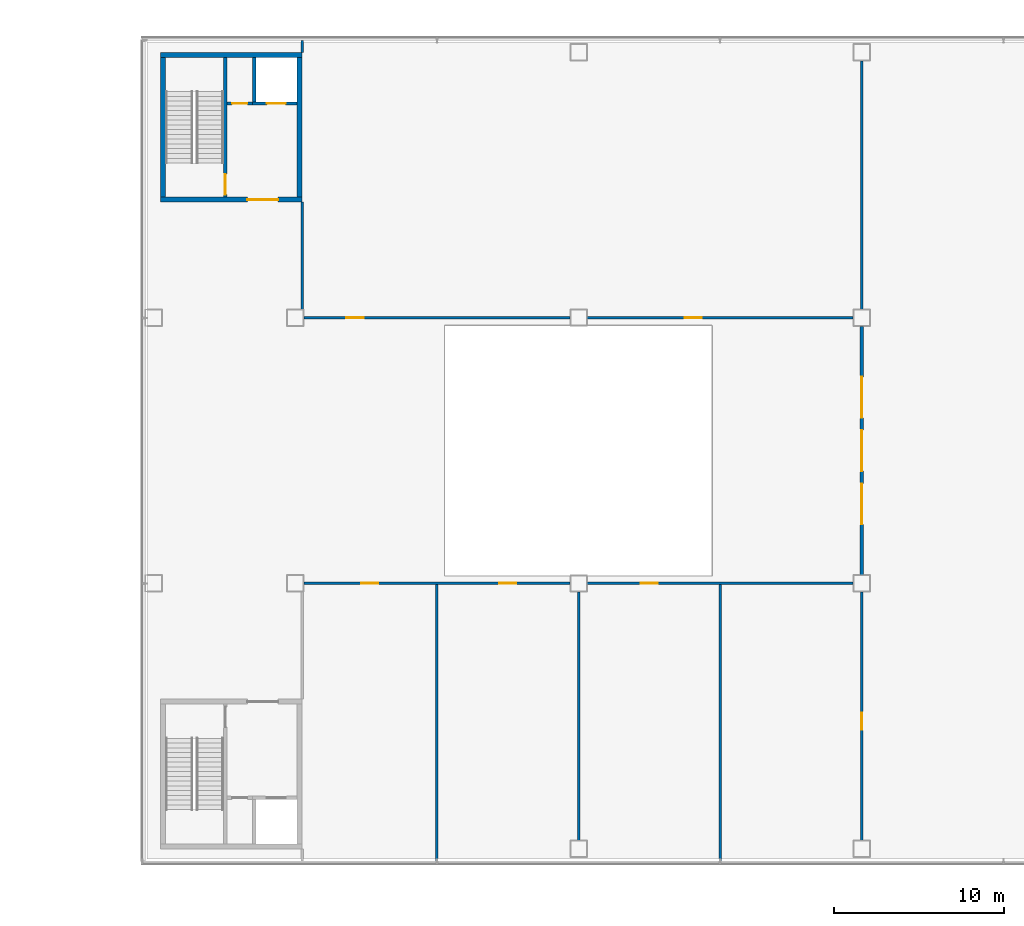
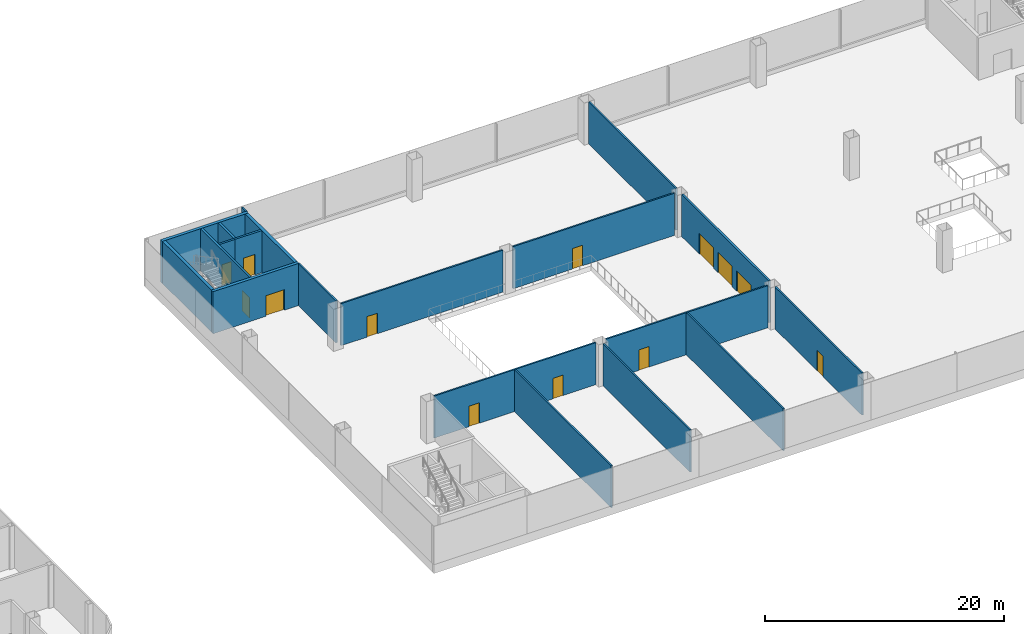
# One storey, part 25 of 53: 20 walls, 13 doors, 13 openings.
"""IFC4 building model written with IfcOpenShell, lengths in metres."""

from ifc_helpers import new_model, si_unit, direction, frame, frame_2d, origin, place, context, subcontext, project, spatial, rectangle, extrude, material, layer, layer_set, type_object, element, fill, save


model = new_model("IFC4")

# Units and contexts
model_context = context("Model", 3, precision=1e-05, world=origin(), true_north=direction((0.0, 1.0)))
body_context = subcontext(model_context, "Body", "Model", "MODEL_VIEW")
ifc_project = project(units=[si_unit("LENGTHUNIT", "METRE"), si_unit("AREAUNIT", "SQUARE_METRE"), si_unit("VOLUMEUNIT", "CUBIC_METRE"), si_unit("PLANEANGLEUNIT", "RADIAN"), si_unit("MASSUNIT", "GRAM", prefix="KILO")], contexts=[model_context])

# Site, building, storey
site_placement = place(None, origin())
site = spatial("IfcSite", under=ifc_project, at=site_placement, CompositionType="ELEMENT")
building_placement = place(site_placement, origin())
building = spatial("IfcBuilding", under=site, at=building_placement, Name="Hakoniwa Tower and Hamabe Station Hall", CompositionType="ELEMENT")
storey_placement = place(building_placement, frame((0.0, 0.0, 15.0)))
storey = spatial("IfcBuildingStorey", under=building, at=storey_placement, Name="L03", CompositionType="ELEMENT", Elevation=15.0)

# Wall, opening, door
ifc_material_1 = material(Name="Concrete block masonry fb10", Category="masonry")
ifc_layer_1 = layer(ifc_material_1, 0.199951171875)
ifc_layer_set_1 = layer_set([ifc_layer_1], Name="BLOCK WALL 200 EI 60")
wall_type_1 = type_object("IfcWallType", Name="BLOCK WALL 200 EI 60", PredefinedType="PARTITIONING", material=ifc_layer_set_1)
wall_1_placement = place(storey_placement, frame((90.25, 20.39990234375, 0.0), z_axis=(0.0, 0.0, 1.0), x_axis=(1.0, 0.0, 0.0)))
wall_1 = element("IfcWall", 1, at=wall_1_placement, inside=storey, type_object=wall_type_1, Name="Station riser room wall SC1 L03", PredefinedType="PARTITIONING", context=body_context, shape_type="SweptSolid", body=[
    extrude(rectangle(XDim=1.5, YDim=0.199951171875, at=frame_2d((0.75, 0.0))), origin(), (0.0, 0.0, 1.0), 4.300048828125),
])
opening_1_placement = place(wall_1_placement, frame((0.300048828125, 0.0, 0.0)))
opening_1 = element("IfcOpeningElement", 2, at=opening_1_placement, cuts=wall_1, Name="Opening SD-L03-012", PredefinedType="OPENING", context=body_context, shape_type="SweptSolid", body=[
    extrude(rectangle(XDim=0.89990234375, YDim=2.10009765625, at=frame_2d((0.449951171875, 1.050048828125))), frame((0.0, 0.10986328125, 0.0), z_axis=(0.0, -1.0, 0.0), x_axis=(1.0, 0.0, 0.0)), (0.0, 0.0, 1.0), 0.219970703125),
])
ifc_material_2 = material(Name="Steel fire door", Category="steel")
door_type_1 = type_object("IfcDoorType", Name="FIRE DOOR 900X2100 FD30", OperationType="SINGLE_SWING_LEFT", PredefinedType="DOOR", material=ifc_material_2)
door_1_placement = place(opening_1_placement, origin())
door_1 = element("IfcDoor", 3, at=door_1_placement, inside=storey, type_object=door_type_1, Name="Door riser SC1", OperationType="SINGLE_SWING_LEFT", OverallHeight=2.10009765625, OverallWidth=0.89990234375, PredefinedType="DOOR", context=body_context, shape_type="SweptSolid", body=[
    extrude(rectangle(XDim=0.89990234375, YDim=2.10009765625, at=frame_2d((0.449951171875, 1.050048828125))), frame((0.0, 0.02490234375, 0.0), z_axis=(0.0, -1.0, 0.0), x_axis=(1.0, 0.0, 0.0)), (0.0, 0.0, 1.0), 0.050048828125),
])
fill(opening_1, door_1)

# Wall, openings, doors
ifc_material_3 = material(Name="Fire-rated gypsum board partition")
ifc_layer_2 = layer(ifc_material_3, 0.14990234375)
ifc_layer_set_2 = layer_set([ifc_layer_2], Name="FIRE PARTITION 150 EI 60")
wall_type_2 = type_object("IfcWallType", Name="FIRE PARTITION 150 EI 60", PredefinedType="PARTITIONING", material=ifc_layer_set_2)
wall_2_placement = place(storey_placement, frame((94.77001953125, -7.800048828125, 0.0), z_axis=(0.0, 0.0, 1.0), x_axis=(1.0, 0.0, 0.0)))
wall_2 = element("IfcWall", 4, at=wall_2_placement, inside=storey, type_object=wall_type_2, Name="Partition L03 1", PredefinedType="PARTITIONING", context=body_context, shape_type="SweptSolid", body=[
    extrude(rectangle(XDim=15.639892578125, YDim=0.14990234375, at=frame_2d((7.81982421875, 0.0))), origin(), (0.0, 0.0, 1.0), 4.300048828125),
])
opening_2_placement = place(wall_2_placement, frame((3.375, 0.0, 0.0)))
opening_2 = element("IfcOpeningElement", 5, at=opening_2_placement, cuts=wall_2, Name="Opening SD-L03-005", PredefinedType="OPENING", context=body_context, shape_type="SweptSolid", body=[
    extrude(rectangle(XDim=1.0, YDim=2.10009765625, at=frame_2d((0.5, 1.050048828125))), frame((0.0, 0.0849609375, 0.0), z_axis=(0.0, -1.0, 0.0), x_axis=(1.0, 0.0, 0.0)), (0.0, 0.0, 1.0), 0.169921875),
])
opening_3_placement = place(wall_2_placement, frame((11.47998046875, 0.0, 0.0)))
opening_3 = element("IfcOpeningElement", 6, at=opening_3_placement, cuts=wall_2, Name="Opening SD-L03-006", PredefinedType="OPENING", context=body_context, shape_type="SweptSolid", body=[
    extrude(rectangle(XDim=1.0, YDim=2.10009765625, at=frame_2d((0.5, 1.050048828125))), frame((0.0, 0.0849609375, 0.0), z_axis=(0.0, -1.0, 0.0), x_axis=(1.0, 0.0, 0.0)), (0.0, 0.0, 1.0), 0.169921875),
])
ifc_material_4 = material(Name="Timber door leaf", Category="wood")
door_type_2 = type_object("IfcDoorType", Name="SINGLE DOOR 1000X2100", OperationType="SINGLE_SWING_LEFT", PredefinedType="DOOR", material=ifc_material_4)
door_2_placement = place(opening_2_placement, origin())
door_2 = element("IfcDoor", 7, at=door_2_placement, inside=storey, type_object=door_type_2, Name="Door Meeting Room 1", OperationType="SINGLE_SWING_LEFT", OverallHeight=2.10009765625, OverallWidth=1.0, PredefinedType="DOOR", context=body_context, shape_type="SweptSolid", body=[
    extrude(rectangle(XDim=1.0, YDim=2.10009765625, at=frame_2d((0.5, 1.050048828125))), frame((0.0, 0.02490234375, 0.0), z_axis=(0.0, -1.0, 0.0), x_axis=(1.0, 0.0, 0.0)), (0.0, 0.0, 1.0), 0.050048828125),
])
fill(opening_2, door_2)
door_3_placement = place(opening_3_placement, origin())
door_3 = element("IfcDoor", 8, at=door_3_placement, inside=storey, type_object=door_type_2, Name="Door Meeting Room 2", OperationType="SINGLE_SWING_RIGHT", OverallHeight=2.10009765625, OverallWidth=1.0, PredefinedType="DOOR", context=body_context, shape_type="SweptSolid", body=[
    extrude(rectangle(XDim=1.0, YDim=2.10009765625, at=frame_2d((0.5, 1.050048828125))), frame((0.0, 0.02490234375, 0.0), z_axis=(0.0, -1.0, 0.0), x_axis=(1.0, 0.0, 0.0)), (0.0, 0.0, 1.0), 0.050048828125),
])
fill(opening_3, door_3)

# Wall, opening, door
wall_3_placement = place(storey_placement, frame((111.409912109375, -7.800048828125, 0.0), z_axis=(0.0, 0.0, 1.0), x_axis=(1.0, 0.0, 0.0)))
wall_3 = element("IfcWall", 9, at=wall_3_placement, inside=storey, type_object=wall_type_2, Name="Partition L03 1", PredefinedType="PARTITIONING", context=body_context, shape_type="SweptSolid", body=[
    extrude(rectangle(XDim=15.64013671875, YDim=0.14990234375, at=frame_2d((7.820068359375, 0.0))), origin(), (0.0, 0.0, 1.0), 4.300048828125),
])
opening_4_placement = place(wall_3_placement, frame((3.159912109375, 0.0, 0.0)))
opening_4 = element("IfcOpeningElement", 10, at=opening_4_placement, cuts=wall_3, Name="Opening SD-L03-007", PredefinedType="OPENING", context=body_context, shape_type="SweptSolid", body=[
    extrude(rectangle(XDim=1.0, YDim=2.10009765625, at=frame_2d((0.5, 1.050048828125))), frame((0.0, 0.0849609375, 0.0), z_axis=(0.0, -1.0, 0.0), x_axis=(1.0, 0.0, 0.0)), (0.0, 0.0, 1.0), 0.169921875),
])
door_4_placement = place(opening_4_placement, origin())
door_4 = element("IfcDoor", 11, at=door_4_placement, inside=storey, type_object=door_type_2, Name="Door Meeting Room 3", OperationType="SINGLE_SWING_LEFT", OverallHeight=2.10009765625, OverallWidth=1.0, PredefinedType="DOOR", context=body_context, shape_type="SweptSolid", body=[
    extrude(rectangle(XDim=1.0, YDim=2.10009765625, at=frame_2d((0.5, 1.050048828125))), frame((0.0, 0.02490234375, 0.0), z_axis=(0.0, -1.0, 0.0), x_axis=(1.0, 0.0, 0.0)), (0.0, 0.0, 1.0), 0.050048828125),
])
fill(opening_4, door_4)

wall_4_placement = place(storey_placement, frame((94.77001953125, 7.800048828125, 0.0), z_axis=(0.0, 0.0, 1.0), x_axis=(1.0, 0.0, 0.0)))
wall_4 = element("IfcWall", 12, at=wall_4_placement, inside=storey, type_object=wall_type_2, Name="Partition L03 2", PredefinedType="PARTITIONING", context=body_context, shape_type="SweptSolid", body=[
    extrude(rectangle(XDim=15.639892578125, YDim=0.14990234375, at=frame_2d((7.81982421875, 0.0))), origin(), (0.0, 0.0, 1.0), 4.300048828125),
])
opening_5_placement = place(wall_4_placement, frame((2.5048828125, 0.0, 0.0)))
opening_5 = element("IfcOpeningElement", 13, at=opening_5_placement, cuts=wall_4, Name="Opening SD-L03-004", PredefinedType="OPENING", context=body_context, shape_type="SweptSolid", body=[
    extrude(rectangle(XDim=1.0, YDim=2.10009765625, at=frame_2d((0.5, 1.050048828125))), frame((0.0, 0.0849609375, 0.0), z_axis=(0.0, -1.0, 0.0), x_axis=(1.0, 0.0, 0.0)), (0.0, 0.0, 1.0), 0.169921875),
])
door_5_placement = place(opening_5_placement, origin())
door_5 = element("IfcDoor", 14, at=door_5_placement, inside=storey, type_object=door_type_2, Name="Door Railway Operations Office", OperationType="SINGLE_SWING_LEFT", OverallHeight=2.10009765625, OverallWidth=1.0, PredefinedType="DOOR", context=body_context, shape_type="SweptSolid", body=[
    extrude(rectangle(XDim=1.0, YDim=2.10009765625, at=frame_2d((0.5, 1.050048828125))), frame((0.0, 0.02490234375, 0.0), z_axis=(0.0, -1.0, 0.0), x_axis=(1.0, 0.0, 0.0)), (0.0, 0.0, 1.0), 0.050048828125),
])
fill(opening_5, door_5)

wall_5_placement = place(storey_placement, frame((111.409912109375, 7.800048828125, 0.0), z_axis=(0.0, 0.0, 1.0), x_axis=(1.0, 0.0, 0.0)))
wall_5 = element("IfcWall", 15, at=wall_5_placement, inside=storey, type_object=wall_type_2, Name="Partition L03 2", PredefinedType="PARTITIONING", context=body_context, shape_type="SweptSolid", body=[
    extrude(rectangle(XDim=15.64013671875, YDim=0.14990234375, at=frame_2d((7.820068359375, 0.0))), origin(), (0.0, 0.0, 1.0), 4.300048828125),
])
opening_6_placement = place(wall_5_placement, frame((5.735107421875, 0.0, 0.0)))
opening_6 = element("IfcOpeningElement", 16, at=opening_6_placement, cuts=wall_5, Name="Opening SD-L03-003", PredefinedType="OPENING", context=body_context, shape_type="SweptSolid", body=[
    extrude(rectangle(XDim=1.0, YDim=2.10009765625, at=frame_2d((0.5, 1.050048828125))), frame((0.0, 0.0849609375, 0.0), z_axis=(0.0, -1.0, 0.0), x_axis=(1.0, 0.0, 0.0)), (0.0, 0.0, 1.0), 0.169921875),
])
door_6_placement = place(opening_6_placement, origin())
door_6 = element("IfcDoor", 17, at=door_6_placement, inside=storey, type_object=door_type_2, Name="Door Railway Operations Office", OperationType="SINGLE_SWING_RIGHT", OverallHeight=2.10009765625, OverallWidth=1.0, PredefinedType="DOOR", context=body_context, shape_type="SweptSolid", body=[
    extrude(rectangle(XDim=1.0, YDim=2.10009765625, at=frame_2d((0.5, 1.050048828125))), frame((0.0, 0.02490234375, 0.0), z_axis=(0.0, -1.0, 0.0), x_axis=(1.0, 0.0, 0.0)), (0.0, 0.0, 1.0), 0.050048828125),
])
fill(opening_6, door_6)

# Walls
wall_6_placement = place(storey_placement, frame((94.669921875, 8.300048828125, 0.0), z_axis=(0.0, 0.0, 1.0), x_axis=(0.0, 1.0, 0.0)))
element("IfcWall", 18, at=wall_6_placement, inside=storey, type_object=wall_type_2, Name="Partition L03 5", PredefinedType="PARTITIONING", context=body_context, shape_type="SweptSolid", body=[
    extrude(rectangle(XDim=6.300048828125, YDim=0.14990234375, at=frame_2d((3.14990234375, 0.0))), origin(), (0.0, 0.0, 1.0), 4.300048828125),
])
wall_7_placement = place(storey_placement, frame((94.669921875, 23.39990234375, 0.0), z_axis=(0.0, 0.0, 1.0), x_axis=(0.0, 1.0, 0.0)))
element("IfcWall", 19, at=wall_7_placement, inside=storey, type_object=wall_type_2, Name="Partition L03 6", PredefinedType="PARTITIONING", context=body_context, shape_type="SweptSolid", body=[
    extrude(rectangle(XDim=0.7001953125, YDim=0.14990234375, at=frame_2d((0.35009765625, 0.0))), origin(), (0.0, 0.0, 1.0), 4.300048828125),
])
wall_8_placement = place(storey_placement, frame((102.590087890625, -24.10009765625, 0.0), z_axis=(0.0, 0.0, 1.0), x_axis=(0.0, 1.0, 0.0)))
element("IfcWall", 20, at=wall_8_placement, inside=storey, type_object=wall_type_2, Name="Partition L03 7", PredefinedType="PARTITIONING", context=body_context, shape_type="SweptSolid", body=[
    extrude(rectangle(XDim=16.22509765625, YDim=0.14990234375, at=frame_2d((8.112548828125, 0.0))), origin(), (0.0, 0.0, 1.0), 4.300048828125),
])
wall_9_placement = place(storey_placement, frame((110.909912109375, -22.89990234375, 0.0), z_axis=(0.0, 0.0, 1.0), x_axis=(0.0, 1.0, 0.0)))
element("IfcWall", 21, at=wall_9_placement, inside=storey, type_object=wall_type_2, Name="Partition L03 8", PredefinedType="PARTITIONING", context=body_context, shape_type="SweptSolid", body=[
    extrude(rectangle(XDim=14.599853515625, YDim=0.14990234375, at=frame_2d((7.2998046875, 0.0))), origin(), (0.0, 0.0, 1.0), 4.300048828125),
])
wall_10_placement = place(storey_placement, frame((119.22998046875, -24.10009765625, 0.0), z_axis=(0.0, 0.0, 1.0), x_axis=(0.0, 1.0, 0.0)))
element("IfcWall", 22, at=wall_10_placement, inside=storey, type_object=wall_type_2, Name="Partition L03 9", PredefinedType="PARTITIONING", context=body_context, shape_type="SweptSolid", body=[
    extrude(rectangle(XDim=16.22509765625, YDim=0.14990234375, at=frame_2d((8.112548828125, 0.0))), origin(), (0.0, 0.0, 1.0), 4.300048828125),
])

# Wall, opening, door
wall_11_placement = place(storey_placement, frame((127.550048828125, -22.89990234375, 0.0), z_axis=(0.0, 0.0, 1.0), x_axis=(0.0, 1.0, 0.0)))
wall_11 = element("IfcWall", 23, at=wall_11_placement, inside=storey, type_object=wall_type_2, Name="Partition L03 10", PredefinedType="PARTITIONING", context=body_context, shape_type="SweptSolid", body=[
    extrude(rectangle(XDim=14.599853515625, YDim=0.14990234375, at=frame_2d((7.2998046875, 0.0))), origin(), (0.0, 0.0, 1.0), 4.300048828125),
])
opening_7_placement = place(wall_11_placement, frame((6.5, 0.0, 0.0)))
opening_7 = element("IfcOpeningElement", 24, at=opening_7_placement, cuts=wall_11, Name="Opening SD-L03-008", PredefinedType="OPENING", context=body_context, shape_type="SweptSolid", body=[
    extrude(rectangle(XDim=1.0, YDim=2.10009765625, at=frame_2d((0.5, 1.050048828125))), frame((0.0, 0.0849609375, 0.0), z_axis=(0.0, -1.0, 0.0), x_axis=(1.0, 0.0, 0.0)), (0.0, 0.0, 1.0), 0.169921875),
])
door_7_placement = place(opening_7_placement, origin())
door_7 = element("IfcDoor", 25, at=door_7_placement, inside=storey, type_object=door_type_2, Name="Door Station Control Room", OperationType="SINGLE_SWING_RIGHT", OverallHeight=2.10009765625, OverallWidth=1.0, PredefinedType="DOOR", context=body_context, shape_type="SweptSolid", body=[
    extrude(rectangle(XDim=1.0, YDim=2.10009765625, at=frame_2d((0.5, 1.050048828125))), frame((0.0, 0.02490234375, 0.0), z_axis=(0.0, -1.0, 0.0), x_axis=(1.0, 0.0, 0.0)), (0.0, 0.0, 1.0), 0.050048828125),
])
fill(opening_7, door_7)

# Wall
wall_12_placement = place(storey_placement, frame((127.550048828125, 8.300048828125, 0.0), z_axis=(0.0, 0.0, 1.0), x_axis=(0.0, 1.0, 0.0)))
element("IfcWall", 26, at=wall_12_placement, inside=storey, type_object=wall_type_2, Name="Partition L03 11", PredefinedType="PARTITIONING", context=body_context, shape_type="SweptSolid", body=[
    extrude(rectangle(XDim=14.599853515625, YDim=0.14990234375, at=frame_2d((7.2998046875, 0.0))), origin(), (0.0, 0.0, 1.0), 4.300048828125),
])

# Wall, openings, doors
ifc_material_5 = material(Name="Fire-rated gypsum board partition")
ifc_layer_3 = layer(ifc_material_5, 0.199951171875)
ifc_layer_set_3 = layer_set([ifc_layer_3], Name="FIRE PARTITION 200 EI 60")
wall_type_3 = type_object("IfcWallType", Name="FIRE PARTITION 200 EI 60", PredefinedType="PARTITIONING", material=ifc_layer_set_3)
wall_13_placement = place(storey_placement, frame((127.550048828125, -7.300048828125, 0.0), z_axis=(0.0, 0.0, 1.0), x_axis=(0.0, 1.0, 0.0)))
wall_13 = element("IfcWall", 27, at=wall_13_placement, inside=storey, type_object=wall_type_3, Name="Platform hall wall", PredefinedType="PARTITIONING", context=body_context, shape_type="SweptSolid", body=[
    extrude(rectangle(XDim=14.60009765625, YDim=0.199951171875, at=frame_2d((7.300048828125, 0.0))), origin(), (0.0, 0.0, 1.0), 4.300048828125),
])
opening_8_placement = place(wall_13_placement, frame((2.968017578125, 0.0, 0.0)))
opening_8 = element("IfcOpeningElement", 28, at=opening_8_placement, cuts=wall_13, Name="Opening SD-L03-001", PredefinedType="OPENING", context=body_context, shape_type="SweptSolid", body=[
    extrude(rectangle(XDim=2.39990234375, YDim=2.10009765625, at=frame_2d((1.199951171875, 1.050048828125))), frame((0.0, 0.10986328125, 0.0), z_axis=(0.0, -1.0, 0.0), x_axis=(1.0, 0.0, 0.0)), (0.0, 0.0, 1.0), 0.219970703125),
])
opening_9_placement = place(wall_13_placement, frame((9.23193359375, 0.0, 0.0)))
opening_9 = element("IfcOpeningElement", 29, at=opening_9_placement, cuts=wall_13, Name="Opening SD-L03-002", PredefinedType="OPENING", context=body_context, shape_type="SweptSolid", body=[
    extrude(rectangle(XDim=2.39990234375, YDim=2.10009765625, at=frame_2d((1.199951171875, 1.050048828125))), frame((0.0, 0.10986328125, 0.0), z_axis=(0.0, -1.0, 0.0), x_axis=(1.0, 0.0, 0.0)), (0.0, 0.0, 1.0), 0.219970703125),
])
opening_10_placement = place(wall_13_placement, frame((6.10009765625, 0.0, 0.0)))
opening_10 = element("IfcOpeningElement", 30, at=opening_10_placement, cuts=wall_13, Name="Opening SD-L03-009", PredefinedType="OPENING", context=body_context, shape_type="SweptSolid", body=[
    extrude(rectangle(XDim=2.39990234375, YDim=2.10009765625, at=frame_2d((1.199951171875, 1.050048828125))), frame((0.0, 0.10986328125, 0.0), z_axis=(0.0, -1.0, 0.0), x_axis=(1.0, 0.0, 0.0)), (0.0, 0.0, 1.0), 0.219970703125),
])
ifc_material_6 = material(Name="Timber door leaf", Category="wood")
door_type_3 = type_object("IfcDoorType", Name="DOUBLE DOOR 2400X2100 FD60", OperationType="DOUBLE_DOOR_SINGLE_SWING", PredefinedType="DOOR", material=ifc_material_6)
door_8_placement = place(opening_10_placement, origin())
door_8 = element("IfcDoor", 31, at=door_8_placement, inside=storey, type_object=door_type_3, Name="Door Platform Hall", OperationType="DOUBLE_DOOR_SINGLE_SWING", OverallHeight=2.10009765625, OverallWidth=2.39990234375, PredefinedType="DOOR", context=body_context, shape_type="SweptSolid", body=[
    extrude(rectangle(XDim=2.39990234375, YDim=2.10009765625, at=frame_2d((1.199951171875, 1.050048828125))), frame((0.0, 0.02490234375, 0.0), z_axis=(0.0, -1.0, 0.0), x_axis=(1.0, 0.0, 0.0)), (0.0, 0.0, 1.0), 0.050048828125),
])
fill(opening_10, door_8)
ifc_material_7 = material(Name="Steel fire door", Category="steel")
door_type_4 = type_object("IfcDoorType", Name="FIRE DOUBLE DOOR 2400X2100 FD60", OperationType="DOUBLE_DOOR_SINGLE_SWING", PredefinedType="DOOR", material=ifc_material_7)
door_9_placement = place(opening_8_placement, origin())
door_9 = element("IfcDoor", 32, at=door_9_placement, inside=storey, type_object=door_type_4, Name="Door platform hall", OperationType="DOUBLE_DOOR_SINGLE_SWING", OverallHeight=2.10009765625, OverallWidth=2.39990234375, PredefinedType="DOOR", context=body_context, shape_type="SweptSolid", body=[
    extrude(rectangle(XDim=2.39990234375, YDim=2.10009765625, at=frame_2d((1.199951171875, 1.050048828125))), frame((0.0, 0.02490234375, 0.0), z_axis=(0.0, -1.0, 0.0), x_axis=(1.0, 0.0, 0.0)), (0.0, 0.0, 1.0), 0.050048828125),
])
fill(opening_8, door_9)
door_10_placement = place(opening_9_placement, origin())
door_10 = element("IfcDoor", 33, at=door_10_placement, inside=storey, type_object=door_type_4, Name="Door platform hall", OperationType="DOUBLE_DOOR_SINGLE_SWING", OverallHeight=2.10009765625, OverallWidth=2.39990234375, PredefinedType="DOOR", context=body_context, shape_type="SweptSolid", body=[
    extrude(rectangle(XDim=2.39990234375, YDim=2.10009765625, at=frame_2d((1.199951171875, 1.050048828125))), frame((0.0, 0.02490234375, 0.0), z_axis=(0.0, -1.0, 0.0), x_axis=(1.0, 0.0, 0.0)), (0.0, 0.0, 1.0), 0.050048828125),
])
fill(opening_9, door_10)

# Wall, opening, door
ifc_material_8 = material(Name="Concrete C60", Category="concrete")
ifc_layer_4 = layer(ifc_material_8, 0.199951171875)
ifc_layer_set_4 = layer_set([ifc_layer_4], Name="RC WALL 200 EI 120 C60")
wall_type_4 = type_object("IfcWallType", Name="RC WALL 200 EI 120 C60", PredefinedType="SHEAR", material=ifc_layer_set_4)
wall_14_placement = place(storey_placement, frame((90.14990234375, 23.10009765625, 0.0), z_axis=(0.0, 0.0, 1.0), x_axis=(0.0, -1.0, 0.0)))
wall_14 = element("IfcWall", 34, at=wall_14_placement, inside=storey, type_object=wall_type_4, Name="Station stair wall SC1 L03", PredefinedType="SHEAR", context=body_context, shape_type="SweptSolid", body=[
    extrude(rectangle(XDim=8.2001953125, YDim=0.199951171875, at=frame_2d((4.10009765625, 0.0))), origin(), (0.0, 0.0, 1.0), 4.300048828125),
])
opening_11_placement = place(wall_14_placement, frame((6.85009765625, 0.0, 0.0)))
opening_11 = element("IfcOpeningElement", 35, at=opening_11_placement, cuts=wall_14, Name="Opening SD-L03-011", PredefinedType="OPENING", context=body_context, shape_type="SweptSolid", body=[
    extrude(rectangle(XDim=1.199951171875, YDim=2.10009765625, at=frame_2d((0.60009765625, 1.050048828125))), frame((0.0, 0.10986328125, 0.0), z_axis=(0.0, -1.0, 0.0), x_axis=(1.0, 0.0, 0.0)), (0.0, 0.0, 1.0), 0.219970703125),
])
ifc_material_9 = material(Name="Steel fire door", Category="steel")
door_type_5 = type_object("IfcDoorType", Name="FIRE DOOR 1200X2100 FD60", OperationType="SINGLE_SWING_LEFT", PredefinedType="DOOR", material=ifc_material_9)
door_11_placement = place(opening_11_placement, origin())
door_11 = element("IfcDoor", 36, at=door_11_placement, inside=storey, type_object=door_type_5, Name="Door escape stair SC1", OperationType="SINGLE_SWING_LEFT", OverallHeight=2.10009765625, OverallWidth=1.199951171875, PredefinedType="DOOR", context=body_context, shape_type="SweptSolid", body=[
    extrude(rectangle(XDim=1.199951171875, YDim=2.10009765625, at=frame_2d((0.60009765625, 1.050048828125))), frame((0.0, 0.02490234375, 0.0), z_axis=(0.0, -1.0, 0.0), x_axis=(1.0, 0.0, 0.0)), (0.0, 0.0, 1.0), 0.050048828125),
])
fill(opening_11, door_11)

# Wall
ifc_material_10 = material(Name="Concrete C60", Category="concrete")
ifc_layer_5 = layer(ifc_material_10, 0.199951171875)
ifc_layer_set_5 = layer_set([ifc_layer_5], Name="RC WALL 200 EI 60 C60")
wall_type_5 = type_object("IfcWallType", Name="RC WALL 200 EI 60 C60", PredefinedType="SHEAR", material=ifc_layer_set_5)
wall_15_placement = place(storey_placement, frame((91.85009765625, 23.10009765625, 0.0), z_axis=(0.0, 0.0, 1.0), x_axis=(0.0, -1.0, 0.0)))
element("IfcWall", 37, at=wall_15_placement, inside=storey, type_object=wall_type_5, Name="Station hoistway wall SC1 L03", PredefinedType="SHEAR", context=body_context, shape_type="SweptSolid", body=[
    extrude(rectangle(XDim=2.60009765625, YDim=0.199951171875, at=frame_2d((1.300048828125, 0.0))), origin(), (0.0, 0.0, 1.0), 4.300048828125),
])

# Wall, opening, door
wall_16_placement = place(storey_placement, frame((91.75, 20.39990234375, 0.0), z_axis=(0.0, 0.0, 1.0), x_axis=(1.0, 0.0, 0.0)))
wall_16 = element("IfcWall", 38, at=wall_16_placement, inside=storey, type_object=wall_type_5, Name="Station hoistway front wall SC1 L03", PredefinedType="SHEAR", context=body_context, shape_type="SweptSolid", body=[
    extrude(rectangle(XDim=2.6201171875, YDim=0.199951171875, at=frame_2d((1.31005859375, 0.0))), origin(), (0.0, 0.0, 1.0), 4.300048828125),
])
opening_12_placement = place(wall_16_placement, frame((0.85009765625, 0.0, 0.0)))
opening_12 = element("IfcOpeningElement", 39, at=opening_12_placement, cuts=wall_16, Name="Opening LD-SL1-L03", PredefinedType="OPENING", context=body_context, shape_type="SweptSolid", body=[
    extrude(rectangle(XDim=1.10009765625, YDim=2.10009765625, at=frame_2d((0.550048828125, 1.050048828125))), frame((0.0, 0.10986328125, 0.0), z_axis=(0.0, -1.0, 0.0), x_axis=(1.0, 0.0, 0.0)), (0.0, 0.0, 1.0), 0.219970703125),
])
ifc_material_11 = material(Name="Stainless steel SUS304", Category="steel")
door_type_6 = type_object("IfcDoorType", Name="LIFT LANDING DOOR 1100X2100", OperationType="DOUBLE_DOOR_SLIDING", PredefinedType="DOOR", material=ifc_material_11)
door_12_placement = place(opening_12_placement, origin())
door_12 = element("IfcDoor", 40, at=door_12_placement, inside=storey, type_object=door_type_6, Name="Lift landing door SL1 L03", OperationType="DOUBLE_DOOR_SLIDING", OverallHeight=2.10009765625, OverallWidth=1.10009765625, PredefinedType="DOOR", context=body_context, shape_type="SweptSolid", body=[
    extrude(rectangle(XDim=1.10009765625, YDim=2.10009765625, at=frame_2d((0.550048828125, 1.050048828125))), frame((0.0, 0.02490234375, 0.0), z_axis=(0.0, -1.0, 0.0), x_axis=(1.0, 0.0, 0.0)), (0.0, 0.0, 1.0), 0.050048828125),
])
fill(opening_12, door_12)

# Wall
ifc_material_12 = material(Name="Concrete C60", Category="concrete")
ifc_layer_6 = layer(ifc_material_12, 0.300048828125)
ifc_layer_set_6 = layer_set([ifc_layer_6], Name="RC WALL 300 EI 120 C60")
wall_type_6 = type_object("IfcWallType", Name="RC WALL 300 EI 120 C60", PredefinedType="SHEAR", material=ifc_layer_set_6)
wall_17_placement = place(storey_placement, frame((86.35009765625, 23.25, 0.0), z_axis=(0.0, 0.0, 1.0), x_axis=(1.0, 0.0, 0.0)))
element("IfcWall", 41, at=wall_17_placement, inside=storey, type_object=wall_type_6, Name="Station core wall SC1 outer-v L03", PredefinedType="SHEAR", context=body_context, shape_type="SweptSolid", body=[
    extrude(rectangle(XDim=8.31982421875, YDim=0.300048828125, at=frame_2d((4.159912109375, 0.0))), origin(), (0.0, 0.0, 1.0), 4.300048828125),
])

# Wall, opening, door
wall_18_placement = place(storey_placement, frame((86.35009765625, 14.75, 0.0), z_axis=(0.0, 0.0, 1.0), x_axis=(1.0, 0.0, 0.0)))
wall_18 = element("IfcWall", 42, at=wall_18_placement, inside=storey, type_object=wall_type_6, Name="Station core wall SC1 inner-v L03", PredefinedType="SHEAR", context=body_context, shape_type="SweptSolid", body=[
    extrude(rectangle(XDim=8.31982421875, YDim=0.300048828125, at=frame_2d((4.159912109375, 0.0))), origin(), (0.0, 0.0, 1.0), 4.300048828125),
])
opening_13_placement = place(wall_18_placement, frame((5.10009765625, 0.0, 0.0)))
opening_13 = element("IfcOpeningElement", 43, at=opening_13_placement, cuts=wall_18, Name="Opening SD-L03-010", PredefinedType="OPENING", context=body_context, shape_type="SweptSolid", body=[
    extrude(rectangle(XDim=1.800048828125, YDim=2.10009765625, at=frame_2d((0.89990234375, 1.050048828125))), frame((0.0, 0.159912109375, 0.0), z_axis=(0.0, -1.0, 0.0), x_axis=(1.0, 0.0, 0.0)), (0.0, 0.0, 1.0), 0.320068359375),
])
ifc_material_13 = material(Name="Steel fire door", Category="steel")
door_type_7 = type_object("IfcDoorType", Name="FIRE DOUBLE DOOR 1800X2100 FD60", OperationType="DOUBLE_DOOR_SINGLE_SWING", PredefinedType="DOOR", material=ifc_material_13)
door_13_placement = place(opening_13_placement, origin())
door_13 = element("IfcDoor", 44, at=door_13_placement, inside=storey, type_object=door_type_7, Name="Door lobby SC1", OperationType="DOUBLE_DOOR_SINGLE_SWING", OverallHeight=2.10009765625, OverallWidth=1.800048828125, PredefinedType="DOOR", context=body_context, shape_type="SweptSolid", body=[
    extrude(rectangle(XDim=1.800048828125, YDim=2.10009765625, at=frame_2d((0.89990234375, 1.050048828125))), frame((0.0, 0.02490234375, 0.0), z_axis=(0.0, -1.0, 0.0), x_axis=(1.0, 0.0, 0.0)), (0.0, 0.0, 1.0), 0.050048828125),
])
fill(opening_13, door_13)

# Walls
for number, where, z_axis, x_axis, name in (
    (45, (86.5, 23.10009765625, 0.0), (0.0, 0.0, 1.0), (0.0, -1.0, 0.0), "Station core wall SC1 outer-u L03"),
    (46, (94.52001953125, 23.10009765625, 0.0), (0.0, 0.0, 1.0), (0.0, -1.0, 0.0), "Station core wall SC1 inner-u L03"),
):
    element("IfcWall", number, at=place(storey_placement, frame(where, z_axis=z_axis, x_axis=x_axis)), inside=storey, type_object=wall_type_6, Name=name, PredefinedType="SHEAR", context=body_context, shape_type="SweptSolid", body=[
        extrude(rectangle(XDim=8.2001953125, YDim=0.300048828125, at=frame_2d((4.10009765625, 0.0))), origin(), (0.0, 0.0, 1.0), 4.300048828125),
    ])

save(model, "model.ifc")
